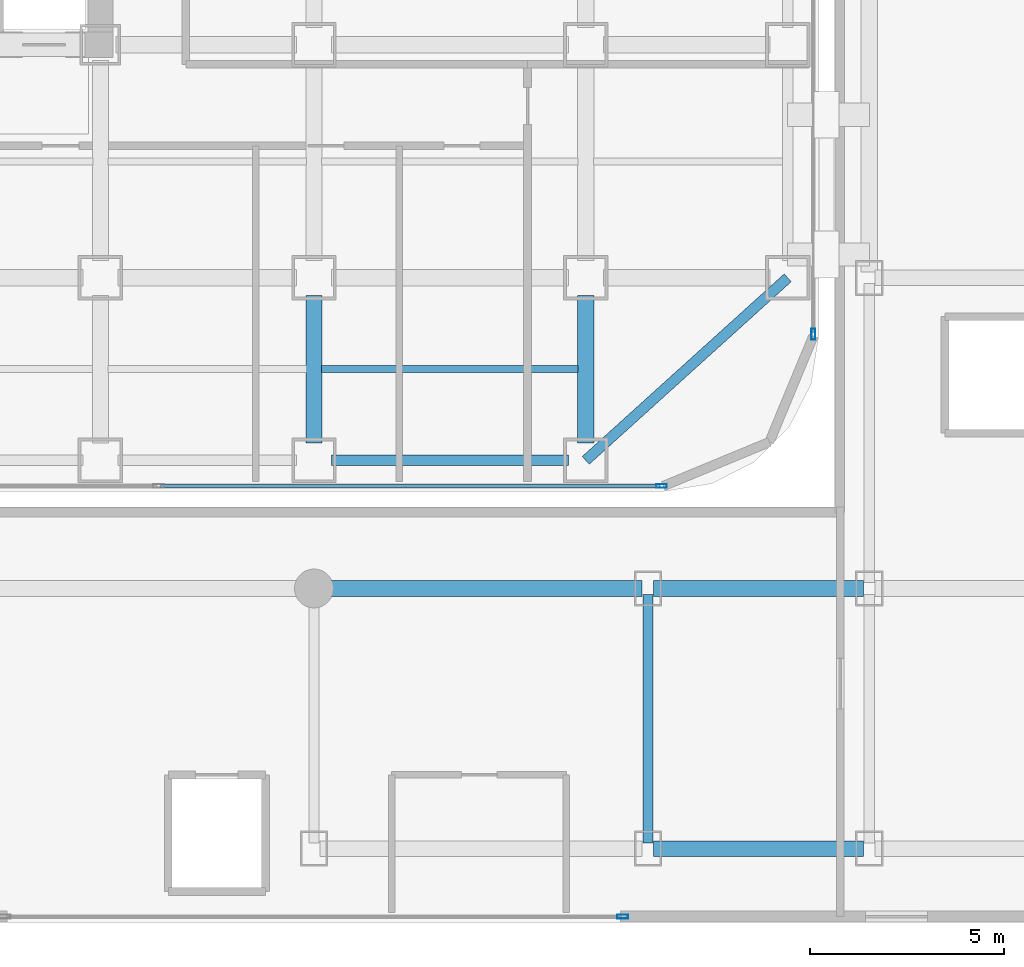
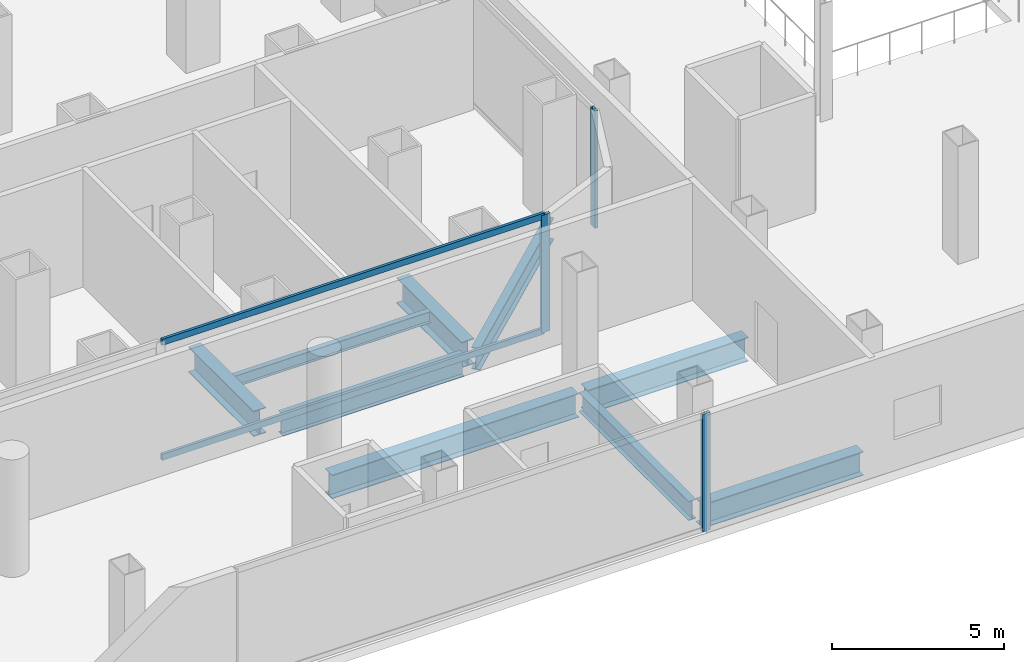
# One storey, part 10 of 26: 9 beams, 5 members, 3 elements without a shape of their own.
"""IFC4 building model written with IfcOpenShell, lengths in metres."""

from ifc_helpers import new_model, si_unit, direction, frame, origin, origin_2d, place, context, subcontext, project, spatial, hollow_rectangle, i_section, extrude, source, transform, mapped, material, layer, layer_set, material_profile, profile_set, type_object, element, aggregate, save


model = new_model("IFC4")

# Units and contexts
model_context = context("Model", 3, precision=1e-05, world=origin(), true_north=direction((0.0, 1.0)))
body_context = subcontext(model_context, "Body", "Model", "MODEL_VIEW")
ifc_project = project(units=[si_unit("LENGTHUNIT", "METRE"), si_unit("AREAUNIT", "SQUARE_METRE"), si_unit("VOLUMEUNIT", "CUBIC_METRE"), si_unit("PLANEANGLEUNIT", "RADIAN"), si_unit("MASSUNIT", "GRAM", prefix="KILO")], contexts=[model_context])

# Site, building, storey
site_placement = place(None, origin())
site = spatial("IfcSite", under=ifc_project, at=site_placement, CompositionType="ELEMENT")
building_placement = place(site_placement, origin())
building = spatial("IfcBuilding", under=site, at=building_placement, Name="Kolveth Station Tower", CompositionType="ELEMENT")
storey_placement = place(building_placement, frame((0.0, 0.0, 9.0)))
storey = spatial("IfcBuildingStorey", under=building, at=storey_placement, Name="L02", CompositionType="ELEMENT", Elevation=9.0)

# Beams
ifc_material_1 = material(Name="Steel S355", Category="steel")
ifc_material_profile_1 = material_profile(ifc_material_1, i_section(OverallWidth=0.26904296875, OverallDepth=0.77490234375, WebThickness=0.01708984375, FlangeThickness=0.0283203125, at=origin_2d()), Name="W760x220")
ifc_profile_set_1 = profile_set([ifc_material_profile_1], Name="Steel S355")
beam_type_1 = type_object("IfcBeamType", Name="Beam_SP1", PredefinedType="SPANDREL", material=ifc_profile_set_1)
shared_shape_1 = source(origin(), body_context, "Body", "SweptSolid", [
    extrude(i_section(OverallWidth=0.26904296875, OverallDepth=0.77490234375, WebThickness=0.01708984375, FlangeThickness=0.0283203125, at=origin_2d()), origin(), (0.0, 0.0, 1.0), 6.10009765625),
])
beam_1_placement = place(storey_placement, frame((34.449951171875, 0.800048828125, -0.70751953125), z_axis=(1.0, 0.0, 0.0), x_axis=(0.0, 1.0, 0.0)))
element("IfcBeam", 1, at=beam_1_placement, inside=storey, type_object=beam_type_1, Name="L02 Perimeter Spandrel BM-L02-PS-5", PredefinedType="SPANDREL", context=body_context, shape_type="MappedRepresentation", body=[
    mapped(shared_shape_1, transform((0.0, 0.0, 0.0), x_axis=(1.0, 0.0, 0.0), y_axis=(0.0, 1.0, 0.0), z_axis=(0.0, 0.0, 1.0), scale=1.0)),
])
shared_shape_2 = source(origin(), body_context, "Body", "SweptSolid", [
    extrude(i_section(OverallWidth=0.26904296875, OverallDepth=0.77490234375, WebThickness=0.01708984375, FlangeThickness=0.0283203125, at=origin_2d()), origin(), (0.0, 0.0, 1.0), 7.00927734375),
])
beam_2_placement = place(storey_placement, frame((41.0, 0.800048828125, -0.70751953125), z_axis=(0.741874009795, 0.670539300557, 0.0), x_axis=(-0.670539300557, 0.741874009795, 0.0)))
element("IfcBeam", 2, at=beam_2_placement, inside=storey, type_object=beam_type_1, Name="L02 Corner Edge Girder BM-L02-CNR-SE", PredefinedType="SPANDREL", context=body_context, shape_type="MappedRepresentation", body=[
    mapped(shared_shape_2, transform((0.0, 0.0, 0.0), x_axis=(1.0, 0.0, 0.0), y_axis=(0.0, 1.0, 0.0), z_axis=(0.0, 0.0, 1.0), scale=1.0)),
])
ifc_material_profile_2 = material_profile(ifc_material_1, i_section(OverallWidth=0.41796875, OverallDepth=0.912109375, WebThickness=0.019287109375, FlangeThickness=0.031982421875, at=origin_2d()), Name="W920x342")
ifc_profile_set_2 = profile_set([ifc_material_profile_2], Name="Steel S355")
beam_type_2 = type_object("IfcBeamType", Name="Beam_B1", PredefinedType="BEAM", material=ifc_profile_set_2)
shared_shape_3 = source(origin(), body_context, "Body", "SweptSolid", [
    extrude(i_section(OverallWidth=0.41796875, OverallDepth=0.912109375, WebThickness=0.019287109375, FlangeThickness=0.031982421875, at=origin_2d()), origin(), (0.0, 0.0, 1.0), 3.800048828125),
])
for number, where, z_axis, x_axis, name in (
    (3, (34.0, 1.25, -0.77587890625), (0.0, 1.0, 0.0), (-1.0, 0.0, 0.0), "L02 Primary Girder BM-L02-GX340-1"),
    (4, (41.0, 1.25, -0.77587890625), (0.0, 1.0, 0.0), (-1.0, 0.0, 0.0), "L02 Primary Girder BM-L02-GX410-1"),
):
    element("IfcBeam", number, at=place(storey_placement, frame(where, z_axis=z_axis, x_axis=x_axis)), inside=storey, type_object=beam_type_2, Name=name, PredefinedType="BEAM", context=body_context, shape_type="MappedRepresentation", body=[
        mapped(shared_shape_3, transform((0.0, 0.0, 0.0), x_axis=(1.0, 0.0, 0.0), y_axis=(0.0, 1.0, 0.0), z_axis=(0.0, 0.0, 1.0), scale=1.0)),
    ])
ifc_material_profile_3 = material_profile(ifc_material_1, i_section(OverallWidth=0.177978515625, OverallDepth=0.406982421875, WebThickness=0.0078125, FlangeThickness=0.0126953125, at=origin_2d()), Name="W410x60")
ifc_profile_set_3 = profile_set([ifc_material_profile_3], Name="Steel S355")
beam_type_3 = type_object("IfcBeamType", Name="Beam_J1", PredefinedType="JOIST", material=ifc_profile_set_3)
shared_shape_4 = source(origin(), body_context, "Body", "SweptSolid", [
    extrude(i_section(OverallWidth=0.177978515625, OverallDepth=0.406982421875, WebThickness=0.0078125, FlangeThickness=0.0126953125, at=origin_2d()), origin(), (0.0, 0.0, 1.0), 6.60986328125),
])
beam_3_placement = place(storey_placement, frame((34.195068359375, 3.14990234375, -0.5234375), z_axis=(1.0, 0.0, 0.0), x_axis=(0.0, 1.0, 0.0)))
element("IfcBeam", 5, at=beam_3_placement, inside=storey, type_object=beam_type_3, Name="L02 Secondary Joist JST-L02-6-1", PredefinedType="JOIST", context=body_context, shape_type="MappedRepresentation", body=[
    mapped(shared_shape_4, transform((0.0, 0.0, 0.0), x_axis=(1.0, 0.0, 0.0), y_axis=(0.0, 1.0, 0.0), z_axis=(0.0, 0.0, 1.0), scale=1.0)),
])
ifc_material_profile_4 = material_profile(ifc_material_1, i_section(OverallWidth=0.40087890625, OverallDepth=0.85107421875, WebThickness=0.01611328125, FlangeThickness=0.025390625, at=origin_2d()), Name="W840x226")
ifc_profile_set_4 = profile_set([ifc_material_profile_4], Name="Steel S355")
beam_type_4 = type_object("IfcBeamType", Name="Beam_B2", PredefinedType="BEAM", material=ifc_profile_set_4)
shared_shape_5 = source(origin(), body_context, "Body", "SweptSolid", [
    extrude(i_section(OverallWidth=0.40087890625, OverallDepth=0.85107421875, WebThickness=0.01611328125, FlangeThickness=0.025390625, at=origin_2d()), origin(), (0.0, 0.0, 1.0), 8.300048828125),
])
beam_4_placement = place(storey_placement, frame((34.14990234375, -2.5, -0.74560546875), z_axis=(1.0, 0.0, 0.0), x_axis=(0.0, 1.0, 0.0)))
element("IfcBeam", 6, at=beam_4_placement, inside=storey, type_object=beam_type_4, Name="L02 Station Concourse Girder SBM-L02-SL2-4", PredefinedType="BEAM", context=body_context, shape_type="MappedRepresentation", body=[
    mapped(shared_shape_5, transform((0.0, 0.0, 0.0), x_axis=(1.0, 0.0, 0.0), y_axis=(0.0, 1.0, 0.0), z_axis=(0.0, 0.0, 1.0), scale=1.0)),
])
shared_shape_6 = source(origin(), body_context, "Body", "SweptSolid", [
    extrude(i_section(OverallWidth=0.40087890625, OverallDepth=0.85107421875, WebThickness=0.01611328125, FlangeThickness=0.025390625, at=origin_2d()), origin(), (0.0, 0.0, 1.0), 5.39990234375),
])
for number, where, z_axis, x_axis, name in (
    (7, (42.75, -9.199951171875, -0.74560546875), (1.0, 0.0, 0.0), (0.0, 1.0, 0.0), "L02 Station Concourse Girder SBM-L02-SL1-5"),
    (8, (42.75, -2.5, -0.74560546875), (1.0, 0.0, 0.0), (0.0, 1.0, 0.0), "L02 Station Concourse Girder SBM-L02-SL2-5"),
):
    element("IfcBeam", number, at=place(storey_placement, frame(where, z_axis=z_axis, x_axis=x_axis)), inside=storey, type_object=beam_type_4, Name=name, PredefinedType="BEAM", context=body_context, shape_type="MappedRepresentation", body=[
        mapped(shared_shape_6, transform((0.0, 0.0, 0.0), x_axis=(1.0, 0.0, 0.0), y_axis=(0.0, 1.0, 0.0), z_axis=(0.0, 0.0, 1.0), scale=1.0)),
    ])
ifc_material_profile_5 = material_profile(ifc_material_1, i_section(OverallWidth=0.25390625, OverallDepth=0.68798828125, WebThickness=0.01318359375, FlangeThickness=0.02099609375, at=origin_2d()), Name="W690x152")
ifc_profile_set_5 = profile_set([ifc_material_profile_5], Name="Steel S355")
beam_type_5 = type_object("IfcBeamType", Name="Beam_B4", PredefinedType="BEAM", material=ifc_profile_set_5)
shared_shape_7 = source(origin(), body_context, "Body", "SweptSolid", [
    extrude(i_section(OverallWidth=0.25390625, OverallDepth=0.68798828125, WebThickness=0.01318359375, FlangeThickness=0.02099609375, at=origin_2d()), origin(), (0.0, 0.0, 1.0), 6.400146484375),
])
beam_5_placement = place(storey_placement, frame((42.60009765625, -9.050048828125, -0.6640625), z_axis=(0.0, 1.0, 0.0), x_axis=(-1.0, 0.0, 0.0)))
element("IfcBeam", 9, at=beam_5_placement, inside=storey, type_object=beam_type_5, Name="L02 Station Transverse Beam SBM-L02-ST-5", PredefinedType="BEAM", context=body_context, shape_type="MappedRepresentation", body=[
    mapped(shared_shape_7, transform((0.0, 0.0, 0.0), x_axis=(1.0, 0.0, 0.0), y_axis=(0.0, 1.0, 0.0), z_axis=(0.0, 0.0, 1.0), scale=1.0)),
])

# Curtain wall, member
ifc_material_2 = material(Name="Black anodized aluminium 6063-T6 and clear station glass", Category="aluminium")
ifc_layer = layer(ifc_material_2, 0.239990234375)
ifc_layer_set = layer_set([ifc_layer], Name="Black anodized aluminium 6063-T6 and clear station glass")
curtain_wall_type = type_object("IfcCurtainWallType", Name="CurtainWall_CW-ST", PredefinedType="NOTDEFINED", material=ifc_layer_set)
curtain_wall_1_placement = place(storey_placement, origin())
curtain_wall_1 = element("IfcCurtainWall", 10, at=curtain_wall_1_placement, inside=storey, type_object=curtain_wall_type, Name="L02 Tower Podium South Storefront Curtain Wall", PredefinedType="NOTDEFINED")
ifc_material_3 = material(Name="Black anodized aluminium 6063-T6", Category="aluminium")
ifc_material_profile_6 = material_profile(ifc_material_3, hollow_rectangle(XDim=0.10009765625, YDim=0.280029296875, WallThickness=0.0048828125, at=origin_2d()), Name="ALU-100x280x5")
ifc_profile_set_6 = profile_set([ifc_material_profile_6], Name="Black anodized aluminium 6063-T6")
member_type_1 = type_object("IfcMemberType", Name="Mullion_ML-ST", PredefinedType="MULLION", material=ifc_profile_set_6)
shared_shape_8 = source(origin(), body_context, "Body", "SweptSolid", [
    extrude(hollow_rectangle(XDim=0.10009765625, YDim=0.280029296875, WallThickness=0.0048828125, at=origin_2d()), origin(), (0.0, 0.0, 1.0), 4.179931640625),
])
member_1_placement = place(storey_placement, frame((42.949951171875, 0.139892578125, 0.0), z_axis=(0.0, 0.0, 1.0), x_axis=(0.0, 1.0, 0.0)))
member_1 = element("IfcMember", 11, at=member_1_placement, type_object=member_type_1, Name="CW-ST mullion 4", PredefinedType="MULLION", context=body_context, shape_type="MappedRepresentation", body=[
    mapped(shared_shape_8, transform((0.0, 0.0, 0.0), x_axis=(1.0, 0.0, 0.0), y_axis=(0.0, 1.0, 0.0), z_axis=(0.0, 0.0, 1.0), scale=1.0)),
])

curtain_wall_2_placement = place(storey_placement, origin())
curtain_wall_2 = element("IfcCurtainWall", 12, at=curtain_wall_2_placement, inside=storey, type_object=curtain_wall_type, Name="L02 Tower Podium East Storefront Curtain Wall", PredefinedType="NOTDEFINED")
member_2_placement = place(storey_placement, frame((46.860107421875, 4.050048828125, 0.0), z_axis=(0.0, 0.0, 1.0), x_axis=(-1.0, 0.0, 0.0)))
member_2 = element("IfcMember", 13, at=member_2_placement, type_object=member_type_1, Name="CW-ST mullion 1", PredefinedType="MULLION", context=body_context, shape_type="MappedRepresentation", body=[
    mapped(shared_shape_8, transform((0.0, 0.0, 0.0), x_axis=(1.0, 0.0, 0.0), y_axis=(0.0, 1.0, 0.0), z_axis=(0.0, 0.0, 1.0), scale=1.0)),
])
aggregate(curtain_wall_2, [member_2])

curtain_wall_3_placement = place(storey_placement, origin())
curtain_wall_3 = element("IfcCurtainWall", 14, at=curtain_wall_3_placement, inside=storey, type_object=curtain_wall_type, Name="L02 Station South Concourse Curtain Wall", PredefinedType="NOTDEFINED")
member_3_placement = place(storey_placement, frame((41.949951171875, -10.949951171875, 0.0), z_axis=(0.0, 0.0, 1.0), x_axis=(0.0, 1.0, 0.0)))
member_3 = element("IfcMember", 15, at=member_3_placement, type_object=member_type_1, Name="CW-ST mullion 2", PredefinedType="MULLION", context=body_context, shape_type="MappedRepresentation", body=[
    mapped(shared_shape_8, transform((0.0, 0.0, 0.0), x_axis=(1.0, 0.0, 0.0), y_axis=(0.0, 1.0, 0.0), z_axis=(0.0, 0.0, 1.0), scale=1.0)),
])
aggregate(curtain_wall_3, [member_3])

# Member
ifc_material_profile_7 = material_profile(ifc_material_3, hollow_rectangle(XDim=0.094970703125, YDim=0.219970703125, WallThickness=0.0048828125, at=origin_2d()), Name="ALU-95x220x5")
ifc_profile_set_7 = profile_set([ifc_material_profile_7], Name="Black anodized aluminium 6063-T6")
member_type_2 = type_object("IfcMemberType", Name="Transom_TR-ST", PredefinedType="USERDEFINED", material=ifc_profile_set_7)
shared_shape_9 = source(origin(), body_context, "Body", "SweptSolid", [
    extrude(hollow_rectangle(XDim=0.094970703125, YDim=0.219970703125, WallThickness=0.0048828125, at=origin_2d()), origin(), (0.0, 0.0, 1.0), 12.849853515625),
])
member_4_placement = place(storey_placement, frame((30.050048828125, 0.139892578125, 0.047607421875), z_axis=(1.0, 0.0, 0.0), x_axis=(0.0, 1.0, 0.0)))
member_4 = element("IfcMember", 16, at=member_4_placement, type_object=member_type_2, Name="CW-ST transom 3.1", ObjectType="TRANSOM", PredefinedType="USERDEFINED", context=body_context, shape_type="MappedRepresentation", body=[
    mapped(shared_shape_9, transform((0.0, 0.0, 0.0), x_axis=(1.0, 0.0, 0.0), y_axis=(0.0, 1.0, 0.0), z_axis=(0.0, 0.0, 1.0), scale=1.0)),
])

member_5_placement = place(storey_placement, frame((30.050048828125, 0.139892578125, 4.132568359375), z_axis=(1.0, 0.0, 0.0), x_axis=(0.0, 1.0, 0.0)))
member_5 = element("IfcMember", 17, at=member_5_placement, type_object=member_type_2, Name="CW-ST transom 3.2", ObjectType="TRANSOM", PredefinedType="USERDEFINED", context=body_context, shape_type="MappedRepresentation", body=[
    mapped(shared_shape_9, transform((0.0, 0.0, 0.0), x_axis=(1.0, 0.0, 0.0), y_axis=(0.0, 1.0, 0.0), z_axis=(0.0, 0.0, 1.0), scale=1.0)),
])

aggregate(curtain_wall_1, [member_1, member_4, member_5])

save(model, "model.ifc")
